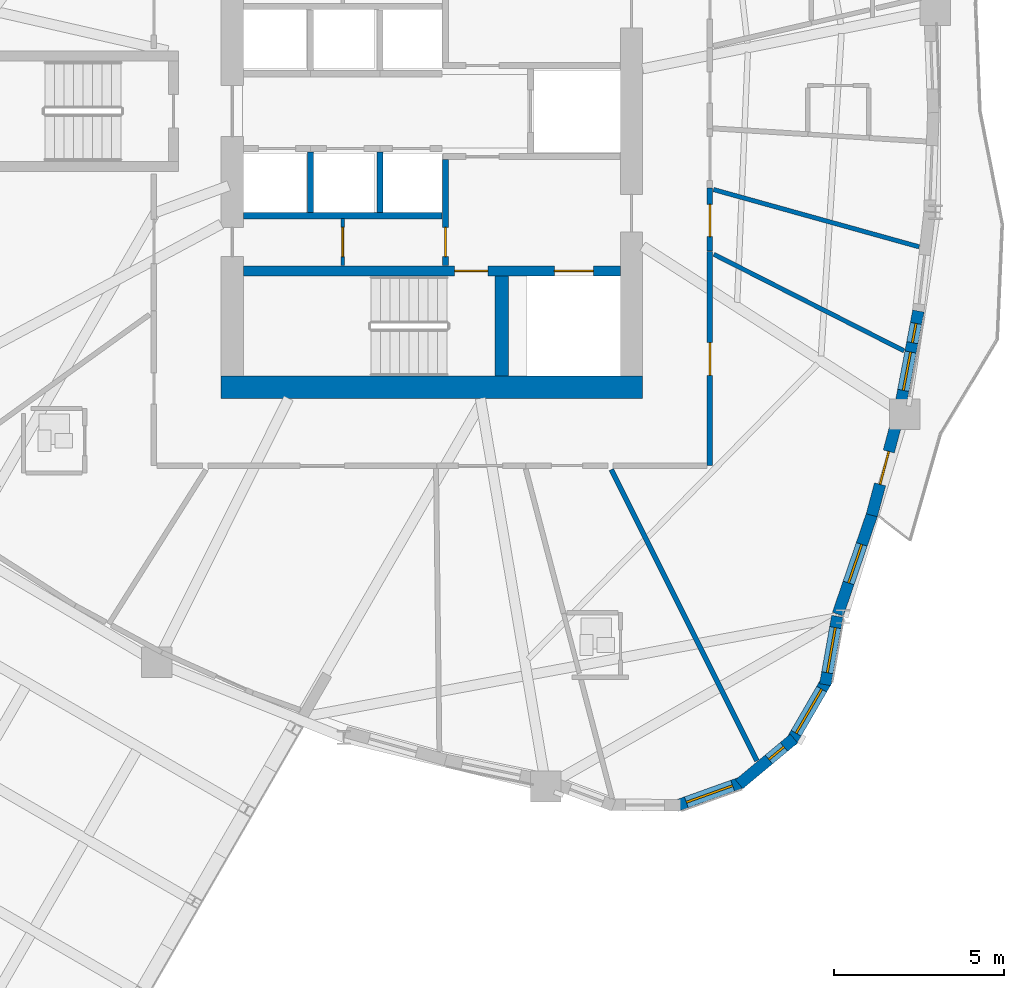
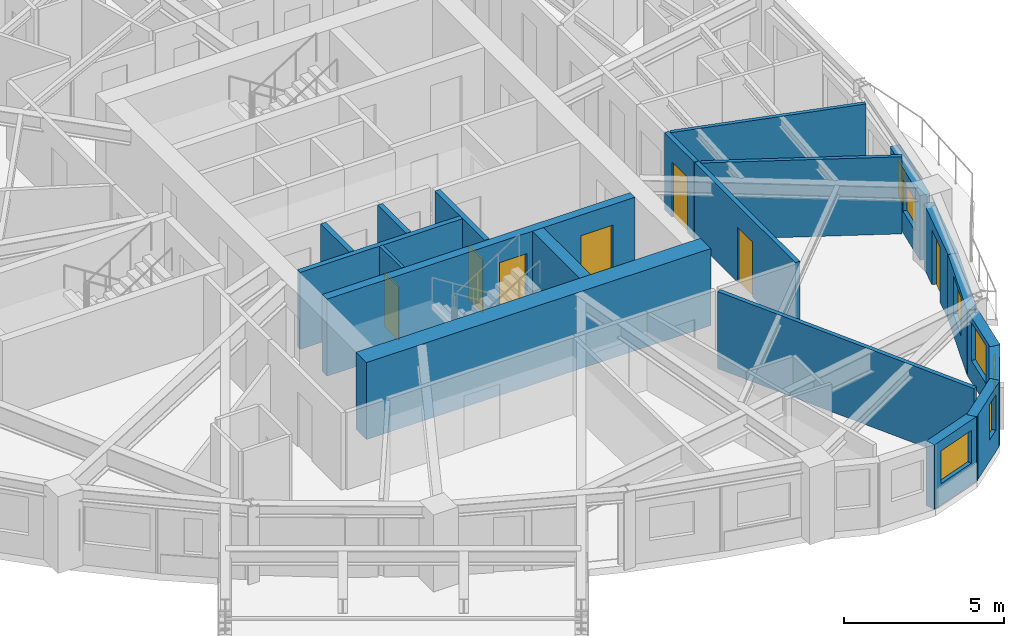
# One storey, part 6 of 17: 20 walls, 7 doors, 7 windows, 14 openings.
"""IFC4 building model written with IfcOpenShell, lengths in metres."""

from ifc_helpers import new_model, si_unit, direction, frame, frame_2d, origin, place, context, subcontext, project, spatial, rectangle, extrude, source, transform, mapped, material, layer, layer_set, type_object, element, fill, save


model = new_model("IFC4")

# Units and contexts
model_context = context("Model", 3, precision=1e-05, world=origin(), true_north=direction((0.0, 1.0)))
body_context = subcontext(model_context, "Body", "Model", "MODEL_VIEW")
ifc_project = project(units=[si_unit("LENGTHUNIT", "METRE"), si_unit("AREAUNIT", "SQUARE_METRE"), si_unit("VOLUMEUNIT", "CUBIC_METRE"), si_unit("PLANEANGLEUNIT", "RADIAN"), si_unit("MASSUNIT", "GRAM", prefix="KILO")], contexts=[model_context])

# Site, building, storey
site_placement = place(None, origin())
site = spatial("IfcSite", under=ifc_project, at=site_placement, CompositionType="ELEMENT")
building_placement = place(site_placement, origin())
building = spatial("IfcBuilding", under=site, at=building_placement, Name="Qafzar Sky-Pleat Residences", CompositionType="ELEMENT")
storey_placement = place(building_placement, frame((0.0, 0.0, 112.0)))
storey = spatial("IfcBuildingStorey", under=building, at=storey_placement, Name="L33", CompositionType="ELEMENT", Elevation=112.0)

# Wall, opening, door
ifc_material_1 = material(Name="Acoustic gypsum plasterboard partition", Category="gypsum")
ifc_layer_1 = layer(ifc_material_1, 0.159912109375)
ifc_layer_set_1 = layer_set([ifc_layer_1], Name="Acoustic gypsum plasterboard partition")
wall_type_1 = type_object("IfcWallType", Name="PART-COR-160", PredefinedType="PARTITIONING", material=ifc_layer_set_1)
wall_1_placement = place(storey_placement, frame((38.530029296875, 21.863037109375, 0.0), z_axis=(0.0, 0.0, 1.0), x_axis=(0.0, -1.0, 0.0)))
wall_1 = element("IfcWall", 1, at=wall_1_placement, inside=storey, type_object=wall_type_1, Name="L33 Partition Wall PART-L33-PW-004", PredefinedType="PARTITIONING", context=body_context, shape_type="SweptSolid", body=[
    extrude(rectangle(XDim=6.29296875, YDim=0.159912109375, at=frame_2d((3.146484375, 0.0))), origin(), (0.0, 0.0, 1.0), 2.93505859375),
])
opening_1_placement = place(wall_1_placement, frame((2.675048828125, 0.0, 0.0)))
opening_1 = element("IfcOpeningElement", 2, at=opening_1_placement, cuts=wall_1, Name="Opening ID-06", PredefinedType="OPENING", context=body_context, shape_type="SweptSolid", body=[
    extrude(rectangle(XDim=0.9599609375, YDim=2.10009765625, at=frame_2d((0.47998046875, 1.050048828125))), frame((0.0, 0.08984375, 0.0), z_axis=(0.0, -1.0, 0.0), x_axis=(1.0, 0.0, 0.0)), (0.0, 0.0, 1.0), 0.179931640625),
])
ifc_material_2 = material(Name="Timber-faced fire door", Category="wood")
door_type_1 = type_object("IfcDoorType", Name="DR-STD-960", OperationType="NOTDEFINED", PredefinedType="DOOR", material=ifc_material_2)
shared_shape_1 = source(origin(), body_context, "Body", "SweptSolid", [
    extrude(rectangle(XDim=0.9599609375, YDim=2.10009765625, at=frame_2d((0.47998046875, 1.050048828125))), frame((0.0, 0.02490234375, 0.0), z_axis=(0.0, -1.0, 0.0), x_axis=(1.0, 0.0, 0.0)), (0.0, 0.0, 1.0), 0.050048828125),
])
door_1_placement = place(opening_1_placement, origin())
door_1 = element("IfcDoor", 3, at=door_1_placement, inside=storey, type_object=door_type_1, Name="L33 Wellness Yoga Studio Door", OperationType="SINGLE_SWING_LEFT", OverallHeight=2.10009765625, OverallWidth=0.9599609375, PredefinedType="DOOR", context=body_context, shape_type="MappedRepresentation", body=[
    mapped(shared_shape_1, transform((0.0, 0.0, 0.0), x_axis=(1.0, 0.0, 0.0), y_axis=(0.0, 1.0, 0.0), z_axis=(0.0, 0.0, 1.0), scale=1.0)),
])
fill(opening_1, door_1)

wall_2_placement = place(storey_placement, frame((38.530029296875, 23.737060546875, 0.0), z_axis=(0.0, 0.0, 1.0), x_axis=(0.0, -1.0, 0.0)))
wall_2 = element("IfcWall", 4, at=wall_2_placement, inside=storey, type_object=wall_type_1, Name="L33 Partition Wall PART-L33-PW-025", PredefinedType="PARTITIONING", context=body_context, shape_type="SweptSolid", body=[
    extrude(rectangle(XDim=1.859130859375, YDim=0.159912109375, at=frame_2d((0.9296875, 0.0))), origin(), (0.0, 0.0, 1.0), 2.93505859375),
])
opening_2_placement = place(wall_2_placement, frame((0.47802734375, 0.0, 0.0)))
opening_2 = element("IfcOpeningElement", 5, at=opening_2_placement, cuts=wall_2, Name="Opening ID-08", PredefinedType="OPENING", context=body_context, shape_type="SweptSolid", body=[
    extrude(rectangle(XDim=0.949951171875, YDim=2.10009765625, at=frame_2d((0.47509765625, 1.050048828125))), frame((0.0, 0.08984375, 0.0), z_axis=(0.0, -1.0, 0.0), x_axis=(1.0, 0.0, 0.0)), (0.0, 0.0, 1.0), 0.179931640625),
])
door_type_2 = type_object("IfcDoorType", Name="DR-AWC-950", OperationType="NOTDEFINED", PredefinedType="DOOR", material=ifc_material_2)
shared_shape_2 = source(origin(), body_context, "Body", "SweptSolid", [
    extrude(rectangle(XDim=0.949951171875, YDim=2.10009765625, at=frame_2d((0.47509765625, 1.050048828125))), frame((0.0, 0.02490234375, 0.0), z_axis=(0.0, -1.0, 0.0), x_axis=(1.0, 0.0, 0.0)), (0.0, 0.0, 1.0), 0.050048828125),
])
door_2_placement = place(opening_2_placement, origin())
door_2 = element("IfcDoor", 6, at=door_2_placement, inside=storey, type_object=door_type_2, Name="L33 Accessible Shared Washroom Door", OperationType="SINGLE_SWING_LEFT", OverallHeight=2.10009765625, OverallWidth=0.949951171875, PredefinedType="DOOR", context=body_context, shape_type="MappedRepresentation", body=[
    mapped(shared_shape_2, transform((0.0, 0.0, 0.0), x_axis=(1.0, 0.0, 0.0), y_axis=(0.0, 1.0, 0.0), z_axis=(0.0, 0.0, 1.0), scale=1.0)),
])
fill(opening_2, door_2)

ifc_material_3 = material(Name="Concrete blockwork partition", Category="masonry")
ifc_layer_2 = layer(ifc_material_3, 0.179931640625)
ifc_layer_set_2 = layer_set([ifc_layer_2], Name="Concrete blockwork partition")
wall_type_2 = type_object("IfcWallType", Name="PART-SHAFT-180", PredefinedType="PARTITIONING", material=ifc_layer_set_2)
wall_3_placement = place(storey_placement, frame((30.75, 21.4599609375, 0.0), z_axis=(0.0, 0.0, 1.0), x_axis=(0.0, 1.0, 0.0)))
wall_3 = element("IfcWall", 7, at=wall_3_placement, inside=storey, type_object=wall_type_2, Name="L33 Partition Wall PART-L33-FFL1-W", PredefinedType="PARTITIONING", context=body_context, shape_type="SweptSolid", body=[
    extrude(rectangle(XDim=3.110107421875, YDim=0.179931640625, at=frame_2d((1.55517578125, 0.0))), origin(), (0.0, 0.0, 1.0), 2.93505859375),
])
opening_3_placement = place(wall_3_placement, frame((0.260009765625, 0.0, 0.0)))
opening_3 = element("IfcOpeningElement", 8, at=opening_3_placement, cuts=wall_3, Name="Opening ID-09", PredefinedType="OPENING", context=body_context, shape_type="SweptSolid", body=[
    extrude(rectangle(XDim=0.860107421875, YDim=2.050048828125, at=frame_2d((0.43017578125, 1.02490234375))), frame((0.0, 0.10009765625, 0.0), z_axis=(0.0, -1.0, 0.0), x_axis=(1.0, 0.0, 0.0)), (0.0, 0.0, 1.0), 0.199951171875),
])
door_type_3 = type_object("IfcDoorType", Name="DR-SVC-860", OperationType="NOTDEFINED", PredefinedType="DOOR", material=ifc_material_2)
shared_shape_3 = source(origin(), body_context, "Body", "SweptSolid", [
    extrude(rectangle(XDim=0.860107421875, YDim=2.050048828125, at=frame_2d((0.43017578125, 1.02490234375))), frame((0.0, 0.02490234375, 0.0), z_axis=(0.0, -1.0, 0.0), x_axis=(1.0, 0.0, 0.0)), (0.0, 0.0, 1.0), 0.050048828125),
])
door_3_placement = place(opening_3_placement, origin())
door_3 = element("IfcDoor", 9, at=door_3_placement, inside=storey, type_object=door_type_3, Name="L33 South Core Cupboard Door", OperationType="SINGLE_SWING_RIGHT", OverallHeight=2.050048828125, OverallWidth=0.860107421875, PredefinedType="DOOR", context=body_context, shape_type="MappedRepresentation", body=[
    mapped(shared_shape_3, transform((0.0, 0.0, 0.0), x_axis=(1.0, 0.0, 0.0), y_axis=(0.0, 1.0, 0.0), z_axis=(0.0, 0.0, 1.0), scale=1.0)),
])
fill(opening_3, door_3)

# Walls
wall_4_placement = place(storey_placement, frame((24.81005859375, 22.919921875, 0.0), z_axis=(0.0, 0.0, 1.0), x_axis=(1.0, 0.0, 0.0)))
element("IfcWall", 10, at=wall_4_placement, inside=storey, type_object=wall_type_2, Name="L33 Partition Wall PART-L33-P13-S", PredefinedType="PARTITIONING", context=body_context, shape_type="SweptSolid", body=[
    extrude(rectangle(XDim=5.83984375, YDim=0.179931640625, at=frame_2d((2.919921875, 0.0))), origin(), (0.0, 0.0, 1.0), 2.93505859375),
])
for number, where, z_axis, x_axis, name in (
    (11, (26.77490234375, 23.02001953125, 0.0), (0.0, 0.0, 1.0), (0.0, 1.0, 0.0), "L33 Partition Wall PART-L33-P13-DIV-1"),
    (12, (28.824951171875, 23.02001953125, 0.0), (0.0, 0.0, 1.0), (0.0, 1.0, 0.0), "L33 Partition Wall PART-L33-P13-DIV-2"),
):
    element("IfcWall", number, at=place(storey_placement, frame(where, z_axis=z_axis, x_axis=x_axis)), inside=storey, type_object=wall_type_2, Name=name, PredefinedType="PARTITIONING", context=body_context, shape_type="SweptSolid", body=[
        extrude(rectangle(XDim=1.780029296875, YDim=0.179931640625, at=frame_2d((0.89013671875, 0.0))), origin(), (0.0, 0.0, 1.0), 2.93505859375),
    ])

# Wall, opening, door
ifc_material_4 = material(Name="Gypsum plasterboard partition", Category="gypsum")
ifc_layer_3 = layer(ifc_material_4, 0.114990234375)
ifc_layer_set_3 = layer_set([ifc_layer_3], Name="Gypsum plasterboard partition")
wall_type_3 = type_object("IfcWallType", Name="PART-SVC-115", PredefinedType="PARTITIONING", material=ifc_layer_set_3)
wall_5_placement = place(storey_placement, frame((27.72509765625, 21.4599609375, 0.0), z_axis=(0.0, 0.0, 1.0), x_axis=(0.0, 1.0, 0.0)))
wall_5 = element("IfcWall", 13, at=wall_5_placement, inside=storey, type_object=wall_type_3, Name="L33 Partition Wall PART-L33-KB-SW", PredefinedType="PARTITIONING", context=body_context, shape_type="SweptSolid", body=[
    extrude(rectangle(XDim=1.380126953125, YDim=0.114990234375, at=frame_2d((0.68994140625, 0.0))), origin(), (0.0, 0.0, 1.0), 2.93505859375),
])
opening_4_placement = place(wall_5_placement, frame((0.260009765625, 0.0, 0.0)))
opening_4 = element("IfcOpeningElement", 14, at=opening_4_placement, cuts=wall_5, Name="Opening ID-09", PredefinedType="OPENING", context=body_context, shape_type="SweptSolid", body=[
    extrude(rectangle(XDim=0.860107421875, YDim=2.050048828125, at=frame_2d((0.43017578125, 1.02490234375))), frame((0.0, 0.0673828125, 0.0), z_axis=(0.0, -1.0, 0.0), x_axis=(1.0, 0.0, 0.0)), (0.0, 0.0, 1.0), 0.135009765625),
])
door_4_placement = place(opening_4_placement, origin())
door_4 = element("IfcDoor", 15, at=door_4_placement, inside=storey, type_object=door_type_3, Name="L33 BMS Metering Cupboard Door", OperationType="SINGLE_SWING_RIGHT", OverallHeight=2.050048828125, OverallWidth=0.860107421875, PredefinedType="DOOR", context=body_context, shape_type="MappedRepresentation", body=[
    mapped(shared_shape_3, transform((0.0, 0.0, 0.0), x_axis=(1.0, 0.0, 0.0), y_axis=(0.0, 1.0, 0.0), z_axis=(0.0, 0.0, 1.0), scale=1.0)),
])
fill(opening_4, door_4)

# Walls
ifc_layer_4 = layer(ifc_material_1, 0.14501953125)
ifc_layer_set_4 = layer_set([ifc_layer_4], Name="Acoustic gypsum plasterboard partition")
wall_type_4 = type_object("IfcWallType", Name="PART-UNIT-145", PredefinedType="PARTITIONING", material=ifc_layer_set_4)
wall_6_placement = place(storey_placement, frame((35.627685546875, 15.450439453125, 0.0), z_axis=(0.0, 0.0, 1.0), x_axis=(0.447427687311, -0.894320113062, 0.0)))
element("IfcWall", 16, at=wall_6_placement, inside=storey, type_object=wall_type_4, Name="L33 Partition Wall PART-L33-PW-034", PredefinedType="PARTITIONING", context=body_context, shape_type="SweptSolid", body=[
    extrude(rectangle(XDim=9.578369140625, YDim=0.14501953125, at=frame_2d((4.7890625, 0.0))), origin(), (0.0, 0.0, 1.0), 2.93505859375),
])
ifc_material_5 = material(Name="Moisture-resistant gypsum partition", Category="gypsum")
ifc_layer_5 = layer(ifc_material_5, 0.1298828125)
ifc_layer_set_5 = layer_set([ifc_layer_5], Name="Moisture-resistant gypsum partition")
wall_type_5 = type_object("IfcWallType", Name="PART-WET-130", PredefinedType="PARTITIONING", material=ifc_layer_set_5)
wall_7_placement = place(storey_placement, frame((38.646484375, 21.786865234375, 0.0), z_axis=(0.0, 0.0, 1.0), x_axis=(0.891647923981, -0.452729477349, 0.0)))
element("IfcWall", 17, at=wall_7_placement, inside=storey, type_object=wall_type_5, Name="L33 Partition Wall PART-L33-PW-041", PredefinedType="PARTITIONING", context=body_context, shape_type="SweptSolid", body=[
    extrude(rectangle(XDim=6.275390625, YDim=0.1298828125, at=frame_2d((3.1376953125, 0.0))), origin(), (0.0, 0.0, 1.0), 2.93505859375),
])
wall_8_placement = place(storey_placement, frame((38.63525390625, 23.692626953125, 0.0), z_axis=(0.0, 0.0, 1.0), x_axis=(0.963309939171, -0.268391432602, 0.0)))
element("IfcWall", 18, at=wall_8_placement, inside=storey, type_object=wall_type_5, Name="L33 Partition Wall PART-L33-PW-042", PredefinedType="PARTITIONING", context=body_context, shape_type="SweptSolid", body=[
    extrude(rectangle(XDim=6.281982421875, YDim=0.1298828125, at=frame_2d((3.14111328125, 0.0))), origin(), (0.0, 0.0, 1.0), 2.93505859375),
])

# Wall, opening, window
ifc_material_6 = material(Name="Precast concrete C40/50 with honed Riyadh limestone", Category="concrete")
ifc_layer_6 = layer(ifc_material_6, 0.340087890625)
ifc_layer_set_6 = layer_set([ifc_layer_6], Name="Precast concrete C40/50 with honed Riyadh limestone")
wall_type_6 = type_object("IfcWallType", Name="WALL-EXT-340", PredefinedType="SOLIDWALL", material=ifc_layer_set_6)
wall_9_placement = place(storey_placement, frame((37.529296875, 5.5537109375, 0.0), z_axis=(0.0, 0.0, 1.0), x_axis=(0.941486401639, 0.33705096874, 0.0)))
wall_9 = element("IfcWall", 19, at=wall_9_placement, inside=storey, type_object=wall_type_6, Name="L33 Limestone Facade Wall 19", PredefinedType="SOLIDWALL", context=body_context, shape_type="SweptSolid", body=[
    extrude(rectangle(XDim=2.09912109375, YDim=0.340087890625, at=frame_2d((1.049560546875, 0.0))), origin(), (0.0, 0.0, 1.0), 2.465087890625),
])
opening_5_placement = place(wall_9_placement, frame((0.324462890625, 0.0, 0.820068359375)))
opening_5 = element("IfcOpeningElement", 20, at=opening_5_placement, cuts=wall_9, Name="Opening WN-15", PredefinedType="OPENING", context=body_context, shape_type="SweptSolid", body=[
    extrude(rectangle(XDim=1.449951171875, YDim=1.25, at=frame_2d((0.72509765625, 0.625))), frame((0.0, 0.18017578125, 0.0), z_axis=(0.0, -1.0, 0.0), x_axis=(1.0, 0.0, 0.0)), (0.0, 0.0, 1.0), 0.360107421875),
])
ifc_material_7 = material(Name="Solar-control low-E glass in bronze aluminium frame", Category="glass")
window_type_1 = type_object("IfcWindowType", Name="WIN-15", PartitioningType="SINGLE_PANEL", PredefinedType="WINDOW", material=ifc_material_7)
shared_shape_4 = source(origin(), body_context, "Body", "SweptSolid", [
    extrude(rectangle(XDim=1.449951171875, YDim=1.25, at=frame_2d((0.72509765625, 0.625))), frame((0.0, 0.030029296875, 0.0), z_axis=(0.0, -1.0, 0.0), x_axis=(1.0, 0.0, 0.0)), (0.0, 0.0, 1.0), 0.06005859375),
])
window_1_placement = place(opening_5_placement, origin())
window_1 = element("IfcWindow", 21, at=window_1_placement, inside=storey, type_object=window_type_1, Name="L33 Punched Facade Window 19", OverallHeight=1.25, OverallWidth=1.449951171875, PartitioningType="SINGLE_PANEL", PredefinedType="WINDOW", context=body_context, shape_type="MappedRepresentation", body=[
    mapped(shared_shape_4, transform((0.0, 0.0, 0.0), x_axis=(1.0, 0.0, 0.0), y_axis=(0.0, 1.0, 0.0), z_axis=(0.0, 0.0, 1.0), scale=1.0)),
])
fill(opening_5, window_1)

wall_10_placement = place(storey_placement, frame((39.388916015625, 6.194580078125, 0.0), z_axis=(0.0, 0.0, 1.0), x_axis=(0.768488123124, 0.639864051669, 0.0)))
wall_10 = element("IfcWall", 22, at=wall_10_placement, inside=storey, type_object=wall_type_6, Name="L33 Limestone Facade Wall 20", PredefinedType="SOLIDWALL", context=body_context, shape_type="SweptSolid", body=[
    extrude(rectangle(XDim=2.099365234375, YDim=0.340087890625, at=frame_2d((1.0498046875, 0.0))), origin(), (0.0, 0.0, 1.0), 2.465087890625),
])
opening_6_placement = place(wall_10_placement, frame((1.1376953125, 0.0, 0.820068359375)))
opening_6 = element("IfcOpeningElement", 23, at=opening_6_placement, cuts=wall_10, Name="Opening WN-17", PredefinedType="OPENING", context=body_context, shape_type="SweptSolid", body=[
    extrude(rectangle(XDim=0.580078125, YDim=1.35009765625, at=frame_2d((0.2900390625, 0.675048828125))), frame((0.0, 0.18017578125, 0.0), z_axis=(0.0, -1.0, 0.0), x_axis=(1.0, 0.0, 0.0)), (0.0, 0.0, 1.0), 0.360107421875),
])
window_type_2 = type_object("IfcWindowType", Name="WIN-17", PartitioningType="SINGLE_PANEL", PredefinedType="WINDOW", material=ifc_material_7)
shared_shape_5 = source(origin(), body_context, "Body", "SweptSolid", [
    extrude(rectangle(XDim=0.580078125, YDim=1.35009765625, at=frame_2d((0.2900390625, 0.675048828125))), frame((0.0, 0.030029296875, 0.0), z_axis=(0.0, -1.0, 0.0), x_axis=(1.0, 0.0, 0.0)), (0.0, 0.0, 1.0), 0.06005859375),
])
window_2_placement = place(opening_6_placement, origin())
window_2 = element("IfcWindow", 24, at=window_2_placement, inside=storey, type_object=window_type_2, Name="L33 Punched Facade Window 20-2", OverallHeight=1.35009765625, OverallWidth=0.580078125, PartitioningType="SINGLE_PANEL", PredefinedType="WINDOW", context=body_context, shape_type="MappedRepresentation", body=[
    mapped(shared_shape_5, transform((0.0, 0.0, 0.0), x_axis=(1.0, 0.0, 0.0), y_axis=(0.0, 1.0, 0.0), z_axis=(0.0, 0.0, 1.0), scale=1.0)),
])
fill(opening_6, window_2)

wall_11_placement = place(storey_placement, frame((40.91552734375, 7.435302734375, 0.0), z_axis=(0.0, 0.0, 1.0), x_axis=(0.501989603552, 0.864873654313, 0.0)))
wall_11 = element("IfcWall", 25, at=wall_11_placement, inside=storey, type_object=wall_type_6, Name="L33 Limestone Facade Wall 21", PredefinedType="SOLIDWALL", context=body_context, shape_type="SweptSolid", body=[
    extrude(rectangle(XDim=2.09912109375, YDim=0.340087890625, at=frame_2d((1.049560546875, 0.0))), origin(), (0.0, 0.0, 1.0), 2.465087890625),
])
opening_7_placement = place(wall_11_placement, frame((0.299560546875, 0.0, 0.820068359375)))
opening_7 = element("IfcOpeningElement", 26, at=opening_7_placement, cuts=wall_11, Name="Opening WN-03", PredefinedType="OPENING", context=body_context, shape_type="SweptSolid", body=[
    extrude(rectangle(XDim=1.5, YDim=1.449951171875, at=frame_2d((0.75, 0.72509765625))), frame((0.0, 0.18017578125, 0.0), z_axis=(0.0, -1.0, 0.0), x_axis=(1.0, 0.0, 0.0)), (0.0, 0.0, 1.0), 0.360107421875),
])
window_type_3 = type_object("IfcWindowType", Name="WIN-03", PartitioningType="DOUBLE_PANEL_VERTICAL", PredefinedType="WINDOW", material=ifc_material_7)
shared_shape_6 = source(origin(), body_context, "Body", "SweptSolid", [
    extrude(rectangle(XDim=1.5, YDim=1.449951171875, at=frame_2d((0.75, 0.72509765625))), frame((0.0, 0.030029296875, 0.0), z_axis=(0.0, -1.0, 0.0), x_axis=(1.0, 0.0, 0.0)), (0.0, 0.0, 1.0), 0.06005859375),
])
window_3_placement = place(opening_7_placement, origin())
window_3 = element("IfcWindow", 27, at=window_3_placement, inside=storey, type_object=window_type_3, Name="L33 Punched Facade Window 21", OverallHeight=1.449951171875, OverallWidth=1.5, PartitioningType="SINGLE_PANEL", PredefinedType="WINDOW", context=body_context, shape_type="MappedRepresentation", body=[
    mapped(shared_shape_6, transform((0.0, 0.0, 0.0), x_axis=(1.0, 0.0, 0.0), y_axis=(0.0, 1.0, 0.0), z_axis=(0.0, 0.0, 1.0), scale=1.0)),
])
fill(opening_7, window_3)

wall_12_placement = place(storey_placement, frame((41.923095703125, 9.124755859375, 0.0), z_axis=(0.0, 0.0, 1.0), x_axis=(0.174399433509, 0.984674990843, 0.0)))
wall_12 = element("IfcWall", 28, at=wall_12_placement, inside=storey, type_object=wall_type_6, Name="L33 Limestone Facade Wall 22", PredefinedType="SOLIDWALL", context=body_context, shape_type="SweptSolid", body=[
    extrude(rectangle(XDim=2.041015625, YDim=0.340087890625, at=frame_2d((1.0205078125, 0.0))), origin(), (0.0, 0.0, 1.0), 2.465087890625),
])
opening_8_placement = place(wall_12_placement, frame((0.35546875, 0.0, 0.820068359375)))
opening_8 = element("IfcOpeningElement", 29, at=opening_8_placement, cuts=wall_12, Name="Opening WN-04", PredefinedType="OPENING", context=body_context, shape_type="SweptSolid", body=[
    extrude(rectangle(XDim=1.35009765625, YDim=1.449951171875, at=frame_2d((0.675048828125, 0.72509765625))), frame((0.0, 0.18017578125, 0.0), z_axis=(0.0, -1.0, 0.0), x_axis=(1.0, 0.0, 0.0)), (0.0, 0.0, 1.0), 0.360107421875),
])
window_type_4 = type_object("IfcWindowType", Name="WIN-04", PartitioningType="SINGLE_PANEL", PredefinedType="WINDOW", material=ifc_material_7)
shared_shape_7 = source(origin(), body_context, "Body", "SweptSolid", [
    extrude(rectangle(XDim=1.35009765625, YDim=1.449951171875, at=frame_2d((0.675048828125, 0.72509765625))), frame((0.0, 0.030029296875, 0.0), z_axis=(0.0, -1.0, 0.0), x_axis=(1.0, 0.0, 0.0)), (0.0, 0.0, 1.0), 0.06005859375),
])
window_4_placement = place(opening_8_placement, origin())
window_4 = element("IfcWindow", 30, at=window_4_placement, inside=storey, type_object=window_type_4, Name="L33 Punched Facade Window 22", OverallHeight=1.449951171875, OverallWidth=1.35009765625, PartitioningType="SINGLE_PANEL", PredefinedType="WINDOW", context=body_context, shape_type="MappedRepresentation", body=[
    mapped(shared_shape_7, transform((0.0, 0.0, 0.0), x_axis=(1.0, 0.0, 0.0), y_axis=(0.0, 1.0, 0.0), z_axis=(0.0, 0.0, 1.0), scale=1.0)),
])
fill(opening_8, window_4)

wall_13_placement = place(storey_placement, frame((42.295654296875, 11.198486328125, 0.0), z_axis=(0.0, 0.0, 1.0), x_axis=(0.323560359566, 0.946207532055, 0.0)))
wall_13 = element("IfcWall", 31, at=wall_13_placement, inside=storey, type_object=wall_type_6, Name="L33 Limestone Facade Wall 23", PredefinedType="SOLIDWALL", context=body_context, shape_type="SweptSolid", body=[
    extrude(rectangle(XDim=3.162353515625, YDim=0.340087890625, at=frame_2d((1.5810546875, 0.0))), origin(), (0.0, 0.0, 1.0), 2.465087890625),
])
opening_9_placement = place(wall_13_placement, frame((0.97119140625, 0.0, 0.820068359375)))
opening_9 = element("IfcOpeningElement", 32, at=opening_9_placement, cuts=wall_13, Name="Opening WN-05", PredefinedType="OPENING", context=body_context, shape_type="SweptSolid", body=[
    extrude(rectangle(XDim=1.199951171875, YDim=1.449951171875, at=frame_2d((0.60009765625, 0.72509765625))), frame((0.0, 0.18017578125, 0.0), z_axis=(0.0, -1.0, 0.0), x_axis=(1.0, 0.0, 0.0)), (0.0, 0.0, 1.0), 0.360107421875),
])
window_type_5 = type_object("IfcWindowType", Name="WIN-05", PartitioningType="SINGLE_PANEL", PredefinedType="WINDOW", material=ifc_material_7)
shared_shape_8 = source(origin(), body_context, "Body", "SweptSolid", [
    extrude(rectangle(XDim=1.199951171875, YDim=1.449951171875, at=frame_2d((0.60009765625, 0.72509765625))), frame((0.0, 0.030029296875, 0.0), z_axis=(0.0, -1.0, 0.0), x_axis=(1.0, 0.0, 0.0)), (0.0, 0.0, 1.0), 0.06005859375),
])
window_5_placement = place(opening_9_placement, origin())
window_5 = element("IfcWindow", 33, at=window_5_placement, inside=storey, type_object=window_type_5, Name="L33 Punched Facade Window 23", OverallHeight=1.449951171875, OverallWidth=1.199951171875, PartitioningType="SINGLE_PANEL", PredefinedType="WINDOW", context=body_context, shape_type="MappedRepresentation", body=[
    mapped(shared_shape_8, transform((0.0, 0.0, 0.0), x_axis=(1.0, 0.0, 0.0), y_axis=(0.0, 1.0, 0.0), z_axis=(0.0, 0.0, 1.0), scale=1.0)),
])
fill(opening_9, window_5)

# Wall, opening, door
wall_14_placement = place(storey_placement, frame((43.29345703125, 14.106689453125, 0.0), z_axis=(0.0, 0.0, 1.0), x_axis=(0.257057160046, 0.966396200566, 0.0)))
wall_14 = element("IfcWall", 34, at=wall_14_placement, inside=storey, type_object=wall_type_6, Name="L33 Limestone Facade Wall 24", PredefinedType="SOLIDWALL", context=body_context, shape_type="SweptSolid", body=[
    extrude(rectangle(XDim=2.88623046875, YDim=0.340087890625, at=frame_2d((1.443115234375, 0.0))), origin(), (0.0, 0.0, 1.0), 2.465087890625),
])
opening_10_placement = place(wall_14_placement, frame((0.943359375, 0.0, 0.0)))
opening_10 = element("IfcOpeningElement", 35, at=opening_10_placement, cuts=wall_14, Name="Opening ED-05", PredefinedType="OPENING", context=body_context, shape_type="SweptSolid", body=[
    extrude(rectangle(XDim=1.0, YDim=2.10009765625, at=frame_2d((0.5, 1.050048828125))), frame((0.0, 0.18017578125, 0.0), z_axis=(0.0, -1.0, 0.0), x_axis=(1.0, 0.0, 0.0)), (0.0, 0.0, 1.0), 0.360107421875),
])
ifc_material_8 = material(Name="Glazed bronze aluminium door", Category="aluminium")
door_type_4 = type_object("IfcDoorType", Name="DR-BAL-1000", OperationType="NOTDEFINED", PredefinedType="DOOR", material=ifc_material_8)
shared_shape_9 = source(origin(), body_context, "Body", "SweptSolid", [
    extrude(rectangle(XDim=1.0, YDim=2.10009765625, at=frame_2d((0.5, 1.050048828125))), frame((0.0, 0.02490234375, 0.0), z_axis=(0.0, -1.0, 0.0), x_axis=(1.0, 0.0, 0.0)), (0.0, 0.0, 1.0), 0.050048828125),
])
door_5_placement = place(opening_10_placement, origin())
door_5 = element("IfcDoor", 36, at=door_5_placement, inside=storey, type_object=door_type_4, Name="L33 Glazed Balcony Door 1", OperationType="SINGLE_SWING_LEFT", OverallHeight=2.10009765625, OverallWidth=1.0, PredefinedType="DOOR", context=body_context, shape_type="MappedRepresentation", body=[
    mapped(shared_shape_9, transform((0.0, 0.0, 0.0), x_axis=(1.0, 0.0, 0.0), y_axis=(0.0, 1.0, 0.0), z_axis=(0.0, 0.0, 1.0), scale=1.0)),
])
fill(opening_10, door_5)

# Wall, openings, windows
wall_15_placement = place(storey_placement, frame((44.134765625, 17.33251953125, 0.0), z_axis=(0.0, 0.0, 1.0), x_axis=(0.186704677781, 0.982416084607, 0.0)))
wall_15 = element("IfcWall", 37, at=wall_15_placement, inside=storey, type_object=wall_type_6, Name="L33 Limestone Facade Wall 25", PredefinedType="SOLIDWALL", context=body_context, shape_type="SweptSolid", body=[
    extrude(rectangle(XDim=2.836181640625, YDim=0.340087890625, at=frame_2d((1.41796875, 0.0))), origin(), (0.0, 0.0, 1.0), 2.465087890625),
])
opening_11_placement = place(wall_15_placement, frame((0.45751953125, 0.0, 0.820068359375)))
opening_11 = element("IfcOpeningElement", 38, at=opening_11_placement, cuts=wall_15, Name="Opening WN-16", PredefinedType="OPENING", context=body_context, shape_type="SweptSolid", body=[
    extrude(rectangle(XDim=1.14990234375, YDim=1.199951171875, at=frame_2d((0.574951171875, 0.60009765625))), frame((0.0, 0.18017578125, 0.0), z_axis=(0.0, -1.0, 0.0), x_axis=(1.0, 0.0, 0.0)), (0.0, 0.0, 1.0), 0.360107421875),
])
opening_12_placement = place(wall_15_placement, frame((1.885498046875, 0.0, 0.820068359375)))
opening_12 = element("IfcOpeningElement", 39, at=opening_12_placement, cuts=wall_15, Name="Opening WN-17", PredefinedType="OPENING", context=body_context, shape_type="SweptSolid", body=[
    extrude(rectangle(XDim=0.580078125, YDim=1.35009765625, at=frame_2d((0.2900390625, 0.675048828125))), frame((0.0, 0.18017578125, 0.0), z_axis=(0.0, -1.0, 0.0), x_axis=(1.0, 0.0, 0.0)), (0.0, 0.0, 1.0), 0.360107421875),
])
window_6_placement = place(opening_12_placement, origin())
window_6 = element("IfcWindow", 40, at=window_6_placement, inside=storey, type_object=window_type_2, Name="L33 Punched Facade Window 25-2", OverallHeight=1.35009765625, OverallWidth=0.580078125, PartitioningType="SINGLE_PANEL", PredefinedType="WINDOW", context=body_context, shape_type="MappedRepresentation", body=[
    mapped(shared_shape_5, transform((0.0, 0.0, 0.0), x_axis=(1.0, 0.0, 0.0), y_axis=(0.0, 1.0, 0.0), z_axis=(0.0, 0.0, 1.0), scale=1.0)),
])
fill(opening_12, window_6)
window_type_6 = type_object("IfcWindowType", Name="WIN-16", PartitioningType="SINGLE_PANEL", PredefinedType="WINDOW", material=ifc_material_7)
shared_shape_10 = source(origin(), body_context, "Body", "SweptSolid", [
    extrude(rectangle(XDim=1.14990234375, YDim=1.199951171875, at=frame_2d((0.574951171875, 0.60009765625))), frame((0.0, 0.030029296875, 0.0), z_axis=(0.0, -1.0, 0.0), x_axis=(1.0, 0.0, 0.0)), (0.0, 0.0, 1.0), 0.06005859375),
])
window_7_placement = place(opening_11_placement, origin())
window_7 = element("IfcWindow", 41, at=window_7_placement, inside=storey, type_object=window_type_6, Name="L33 Punched Facade Window 25", OverallHeight=1.199951171875, OverallWidth=1.14990234375, PartitioningType="SINGLE_PANEL", PredefinedType="WINDOW", context=body_context, shape_type="MappedRepresentation", body=[
    mapped(shared_shape_10, transform((0.0, 0.0, 0.0), x_axis=(1.0, 0.0, 0.0), y_axis=(0.0, 1.0, 0.0), z_axis=(0.0, 0.0, 1.0), scale=1.0)),
])
fill(opening_11, window_7)

# Wall, openings, doors
ifc_material_9 = material(Name="Concrete C60/75", Category="concrete")
ifc_layer_7 = layer(ifc_material_9, 0.300048828125)
ifc_layer_set_7 = layer_set([ifc_layer_7], Name="Concrete C60/75")
wall_type_7 = type_object("IfcWallType", Name="WALL-SHEAR-300", PredefinedType="SHEAR", material=ifc_layer_set_7)
wall_16_placement = place(storey_placement, frame((24.800048828125, 21.300048828125, 0.0), z_axis=(0.0, 0.0, 1.0), x_axis=(1.0, 0.0, 0.0)))
wall_16 = element("IfcWall", 42, at=wall_16_placement, inside=storey, type_object=wall_type_7, Name="L33 Stair ST1 and FF1 Shaft North Wall", PredefinedType="SHEAR", context=body_context, shape_type="SweptSolid", body=[
    extrude(rectangle(XDim=11.099853515625, YDim=0.300048828125, at=frame_2d((5.5498046875, 0.0))), origin(), (0.0, 0.0, 1.0), 2.93505859375),
])
opening_13_placement = place(wall_16_placement, frame((6.219970703125, 0.0, 0.0)))
opening_13 = element("IfcOpeningElement", 43, at=opening_13_placement, cuts=wall_16, Name="Opening ID-01", PredefinedType="OPENING", context=body_context, shape_type="SweptSolid", body=[
    extrude(rectangle(XDim=0.97998046875, YDim=2.14990234375, at=frame_2d((0.489990234375, 1.074951171875))), frame((0.0, 0.16015625, 0.0), z_axis=(0.0, -1.0, 0.0), x_axis=(1.0, 0.0, 0.0)), (0.0, 0.0, 1.0), 0.320068359375),
])
opening_14_placement = place(wall_16_placement, frame((9.14990234375, 0.0, 0.0)))
opening_14 = element("IfcOpeningElement", 44, at=opening_14_placement, cuts=wall_16, Name="Opening LD-02", PredefinedType="OPENING", context=body_context, shape_type="SweptSolid", body=[
    extrude(rectangle(XDim=1.14990234375, YDim=2.14990234375, at=frame_2d((0.574951171875, 1.074951171875))), frame((0.0, 0.16015625, 0.0), z_axis=(0.0, -1.0, 0.0), x_axis=(1.0, 0.0, 0.0)), (0.0, 0.0, 1.0), 0.320068359375),
])
door_type_5 = type_object("IfcDoorType", Name="DR-STAIR-980", OperationType="NOTDEFINED", PredefinedType="DOOR", material=ifc_material_2)
shared_shape_11 = source(origin(), body_context, "Body", "SweptSolid", [
    extrude(rectangle(XDim=0.97998046875, YDim=2.14990234375, at=frame_2d((0.489990234375, 1.074951171875))), frame((0.0, 0.02490234375, 0.0), z_axis=(0.0, -1.0, 0.0), x_axis=(1.0, 0.0, 0.0)), (0.0, 0.0, 1.0), 0.050048828125),
])
door_6_placement = place(opening_13_placement, origin())
door_6 = element("IfcDoor", 45, at=door_6_placement, inside=storey, type_object=door_type_5, Name="L33 Stair ST1 Fire Door", OperationType="SINGLE_SWING_LEFT", OverallHeight=2.14990234375, OverallWidth=0.97998046875, PredefinedType="DOOR", context=body_context, shape_type="MappedRepresentation", body=[
    mapped(shared_shape_11, transform((0.0, 0.0, 0.0), x_axis=(1.0, 0.0, 0.0), y_axis=(0.0, 1.0, 0.0), z_axis=(0.0, 0.0, 1.0), scale=1.0)),
])
fill(opening_13, door_6)
ifc_material_10 = material(Name="Stainless steel sliding landing door", Category="steel")
door_type_6 = type_object("IfcDoorType", Name="DR-LIFT-FF", OperationType="DOUBLE_DOOR_SLIDING", PredefinedType="DOOR", material=ifc_material_10)
shared_shape_12 = source(origin(), body_context, "Body", "SweptSolid", [
    extrude(rectangle(XDim=1.14990234375, YDim=2.14990234375, at=frame_2d((0.574951171875, 1.074951171875))), frame((0.0, 0.02490234375, 0.0), z_axis=(0.0, -1.0, 0.0), x_axis=(1.0, 0.0, 0.0)), (0.0, 0.0, 1.0), 0.050048828125),
])
door_7_placement = place(opening_14_placement, origin())
door_7 = element("IfcDoor", 46, at=door_7_placement, inside=storey, type_object=door_type_6, Name="L33 Firefighting Lift FF1 Landing Door", OperationType="DOUBLE_DOOR_SLIDING", OverallHeight=2.14990234375, OverallWidth=1.14990234375, PredefinedType="DOOR", context=body_context, shape_type="MappedRepresentation", body=[
    mapped(shared_shape_12, transform((0.0, 0.0, 0.0), x_axis=(1.0, 0.0, 0.0), y_axis=(0.0, 1.0, 0.0), z_axis=(0.0, 0.0, 1.0), scale=1.0)),
])
fill(opening_14, door_7)

# Walls
ifc_layer_8 = layer(ifc_material_9, 0.39990234375)
ifc_layer_set_8 = layer_set([ifc_layer_8], Name="Concrete C60/75")
wall_type_8 = type_object("IfcWallType", Name="WALL-SHEAR-400", PredefinedType="SHEAR", material=ifc_layer_set_8)
wall_17_placement = place(storey_placement, frame((32.39990234375, 18.199951171875, 0.0), z_axis=(0.0, 0.0, 1.0), x_axis=(0.0, 1.0, 0.0)))
element("IfcWall", 47, at=wall_17_placement, inside=storey, type_object=wall_type_8, Name="L33 Stair ST1 East Dividing Wall", PredefinedType="SHEAR", context=body_context, shape_type="SweptSolid", body=[
    extrude(rectangle(XDim=2.949951171875, YDim=0.39990234375, at=frame_2d((1.47509765625, 0.0))), origin(), (0.0, 0.0, 1.0), 2.93505859375),
])
ifc_layer_9 = layer(ifc_material_9, 0.64990234375)
ifc_layer_set_9 = layer_set([ifc_layer_9], Name="Concrete C60/75")
wall_type_9 = type_object("IfcWallType", Name="WALL-SHEAR-650", PredefinedType="SHEAR", material=ifc_layer_set_9)
wall_18_placement = place(storey_placement, frame((24.14990234375, 17.875, 0.0), z_axis=(0.0, 0.0, 1.0), x_axis=(1.0, 0.0, 0.0)))
element("IfcWall", 48, at=wall_18_placement, inside=storey, type_object=wall_type_9, Name="L33 CORE wall S", PredefinedType="SHEAR", context=body_context, shape_type="SweptSolid", body=[
    extrude(rectangle(XDim=12.400146484375, YDim=0.64990234375, at=frame_2d((6.2001953125, 0.0))), origin(), (0.0, 0.0, 1.0), 2.93505859375),
])

save(model, "model.ifc")
